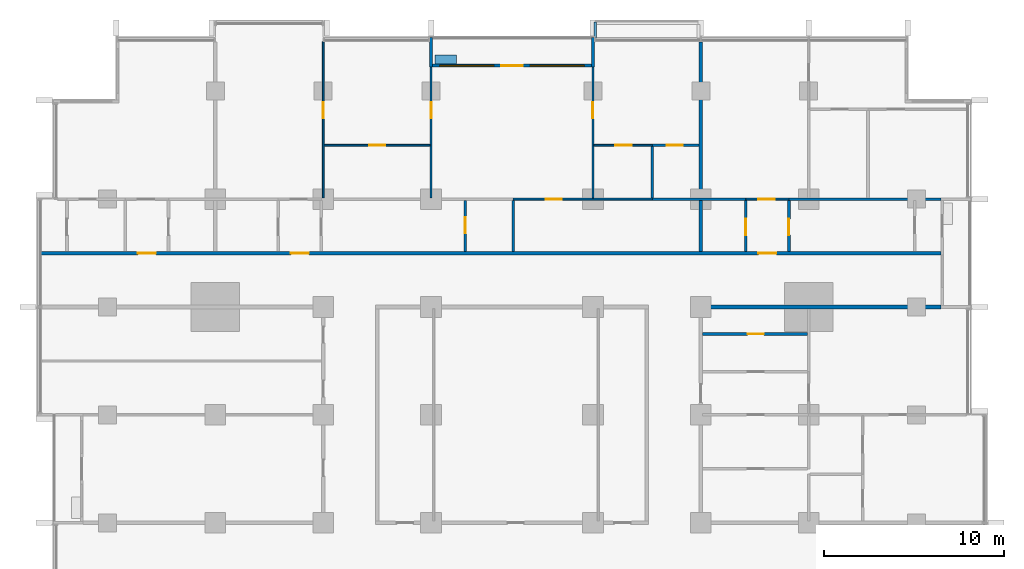
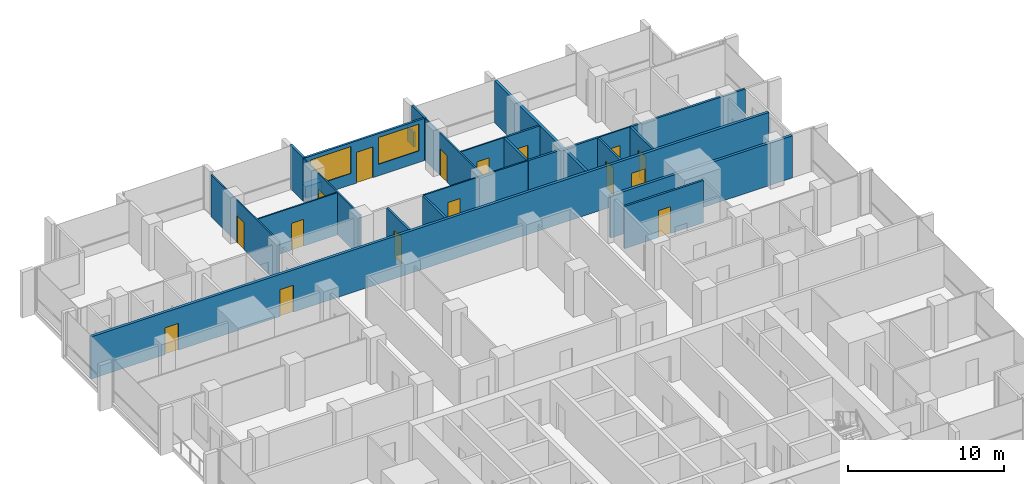
# One storey, part 11 of 17: 25 walls, 16 doors, 2 windows, 18 openings.
"""IFC4 building model written with IfcOpenShell, lengths in metres."""

from ifc_helpers import new_model, si_unit, direction, frame, frame_2d, origin, place, context, subcontext, project, spatial, rectangle, extrude, material, layer, layer_set, type_object, element, fill, save


model = new_model("IFC4")

# Units and contexts
model_context = context("Model", 3, precision=1e-05, world=origin(), true_north=direction((0.0, 1.0)))
body_context = subcontext(model_context, "Body", "Model", "MODEL_VIEW")
ifc_project = project(units=[si_unit("LENGTHUNIT", "METRE"), si_unit("AREAUNIT", "SQUARE_METRE"), si_unit("VOLUMEUNIT", "CUBIC_METRE"), si_unit("PLANEANGLEUNIT", "RADIAN"), si_unit("MASSUNIT", "GRAM", prefix="KILO")], contexts=[model_context])

# Site, building, storey
site_placement = place(None, origin())
site = spatial("IfcSite", under=ifc_project, at=site_placement, CompositionType="ELEMENT")
building_placement = place(site_placement, origin())
building = spatial("IfcBuilding", under=site, at=building_placement, Name="Finial Court Residences", CompositionType="ELEMENT")
storey_placement = place(building_placement, frame((0.0, 0.0, 91.89990234375)))
storey = spatial("IfcBuildingStorey", under=building, at=storey_placement, Name="L22", CompositionType="ELEMENT", Elevation=91.89990234375)

# Walls
ifc_material_1 = material(Name="Gypsum board")
ifc_layer_1 = layer(ifc_material_1, 0.02490234375)
ifc_material_2 = material(Name="Acoustic mineral wool in double frame")
ifc_layer_2 = layer(ifc_material_2, 0.14990234375)
ifc_layer_3 = layer(ifc_material_1, 0.02490234375)
ifc_layer_set_1 = layer_set([ifc_layer_1, ifc_layer_2, ifc_layer_3], Name="Acoustic party wall 200, 1 hour")
wall_type_1 = type_object("IfcWallType", Name="Acoustic party wall 200, 1 hour", PredefinedType="PARTITIONING", material=ifc_layer_set_1)
wall_1_placement = place(storey_placement, frame((10.5, 10.60009765625, 0.0), z_axis=(0.0, 0.0, 1.0), x_axis=(0.0, 1.0, 0.0)))
element("IfcWall", 1, at=wall_1_placement, inside=storey, type_object=wall_type_1, Name="Partition L22-062", PredefinedType="PARTITIONING", context=body_context, shape_type="SweptSolid", body=[
    extrude(rectangle(XDim=2.824951171875, YDim=0.199951171875, at=frame_2d((1.41259765625, 0.0))), origin(), (0.0, 0.0, 1.0), 3.300048828125),
])
wall_2_placement = place(storey_placement, frame((10.5, 13.574951171875, 0.0), z_axis=(0.0, 0.0, 1.0), x_axis=(0.0, 1.0, 0.0)))
element("IfcWall", 2, at=wall_2_placement, inside=storey, type_object=wall_type_1, Name="Partition L22-063", PredefinedType="PARTITIONING", context=body_context, shape_type="SweptSolid", body=[
    extrude(rectangle(XDim=8.675048828125, YDim=0.199951171875, at=frame_2d((4.33740234375, 0.0))), origin(), (0.0, 0.0, 1.0), 3.300048828125),
])
ifc_layer_4 = layer(ifc_material_1, 0.02490234375)
ifc_layer_5 = layer(ifc_material_2, 0.14990234375)
ifc_layer_6 = layer(ifc_material_1, 0.02490234375)
ifc_layer_set_2 = layer_set([ifc_layer_4, ifc_layer_5, ifc_layer_6], Name="Corridor wall 200, 1 hour")
wall_type_2 = type_object("IfcWallType", Name="Corridor wall 200, 1 hour", PredefinedType="PARTITIONING", material=ifc_layer_set_2)
wall_3_placement = place(storey_placement, frame((10.39990234375, 7.5, 0.0), z_axis=(0.0, 0.0, 1.0), x_axis=(1.0, 0.0, 0.0)))
element("IfcWall", 3, at=wall_3_placement, inside=storey, type_object=wall_type_2, Name="Partition L22-023", PredefinedType="PARTITIONING", context=body_context, shape_type="SweptSolid", body=[
    extrude(rectangle(XDim=13.4501953125, YDim=0.199951171875, at=frame_2d((6.72509765625, 0.0))), origin(), (0.0, 0.0, 1.0), 3.300048828125),
])

# Wall, openings, doors
wall_4_placement = place(storey_placement, frame((-26.25, 10.5, 0.0), z_axis=(0.0, 0.0, 1.0), x_axis=(1.0, 0.0, 0.0)))
wall_4 = element("IfcWall", 4, at=wall_4_placement, inside=storey, type_object=wall_type_2, Name="Partition L22-024", PredefinedType="PARTITIONING", context=body_context, shape_type="SweptSolid", body=[
    extrude(rectangle(XDim=50.10009765625, YDim=0.199951171875, at=frame_2d((25.050048828125, 0.0))), origin(), (0.0, 0.0, 1.0), 3.300048828125),
])
opening_1_placement = place(wall_4_placement, frame((5.449951171875, 0.0, 0.0)))
opening_1 = element("IfcOpeningElement", 5, at=opening_1_placement, cuts=wall_4, Name="Opening L22-D015", PredefinedType="OPENING", context=body_context, shape_type="SweptSolid", body=[
    extrude(rectangle(XDim=1.0, YDim=2.10009765625, at=frame_2d((0.5, 1.050048828125))), frame((0.0, 0.10986328125, 0.0), z_axis=(0.0, -1.0, 0.0), x_axis=(1.0, 0.0, 0.0)), (0.0, 0.0, 1.0), 0.219970703125),
])
opening_2_placement = place(wall_4_placement, frame((13.949951171875, 0.0, 0.0)))
opening_2 = element("IfcOpeningElement", 6, at=opening_2_placement, cuts=wall_4, Name="Opening L22-D016", PredefinedType="OPENING", context=body_context, shape_type="SweptSolid", body=[
    extrude(rectangle(XDim=1.0, YDim=2.10009765625, at=frame_2d((0.5, 1.050048828125))), frame((0.0, 0.10986328125, 0.0), z_axis=(0.0, -1.0, 0.0), x_axis=(1.0, 0.0, 0.0)), (0.0, 0.0, 1.0), 0.219970703125),
])
opening_3_placement = place(wall_4_placement, frame((39.949951171875, 0.0, 0.0)))
opening_3 = element("IfcOpeningElement", 7, at=opening_3_placement, cuts=wall_4, Name="Opening L22-D017", PredefinedType="OPENING", context=body_context, shape_type="SweptSolid", body=[
    extrude(rectangle(XDim=1.0, YDim=2.10009765625, at=frame_2d((0.5, 1.050048828125))), frame((0.0, 0.10986328125, 0.0), z_axis=(0.0, -1.0, 0.0), x_axis=(1.0, 0.0, 0.0)), (0.0, 0.0, 1.0), 0.219970703125),
])
ifc_material_3 = material(Name="Timber door leaf in hollow metal frame", Category="wood")
door_type_1 = type_object("IfcDoorType", Name="Fire door set 1000 x 2100, 30 minutes", OperationType="SINGLE_SWING_LEFT", PredefinedType="DOOR", material=ifc_material_3)
door_1_placement = place(opening_1_placement, origin())
door_1 = element("IfcDoor", 8, at=door_1_placement, inside=storey, type_object=door_type_1, Name="Door L22-D015", OperationType="SINGLE_SWING_RIGHT", OverallHeight=2.10009765625, OverallWidth=1.0, PredefinedType="DOOR", context=body_context, shape_type="SweptSolid", body=[
    extrude(rectangle(XDim=1.0, YDim=2.10009765625, at=frame_2d((0.5, 1.050048828125))), frame((0.0, 0.02490234375, 0.0), z_axis=(0.0, -1.0, 0.0), x_axis=(1.0, 0.0, 0.0)), (0.0, 0.0, 1.0), 0.050048828125),
])
fill(opening_1, door_1)
door_2_placement = place(opening_2_placement, origin())
door_2 = element("IfcDoor", 9, at=door_2_placement, inside=storey, type_object=door_type_1, Name="Door L22-D016", OperationType="SINGLE_SWING_RIGHT", OverallHeight=2.10009765625, OverallWidth=1.0, PredefinedType="DOOR", context=body_context, shape_type="SweptSolid", body=[
    extrude(rectangle(XDim=1.0, YDim=2.10009765625, at=frame_2d((0.5, 1.050048828125))), frame((0.0, 0.02490234375, 0.0), z_axis=(0.0, -1.0, 0.0), x_axis=(1.0, 0.0, 0.0)), (0.0, 0.0, 1.0), 0.050048828125),
])
fill(opening_2, door_2)
door_3_placement = place(opening_3_placement, origin())
door_3 = element("IfcDoor", 10, at=door_3_placement, inside=storey, type_object=door_type_1, Name="Door L22-D017", OperationType="SINGLE_SWING_LEFT", OverallHeight=2.10009765625, OverallWidth=1.0, PredefinedType="DOOR", context=body_context, shape_type="SweptSolid", body=[
    extrude(rectangle(XDim=1.0, YDim=2.10009765625, at=frame_2d((0.5, 1.050048828125))), frame((0.0, 0.02490234375, 0.0), z_axis=(0.0, -1.0, 0.0), x_axis=(1.0, 0.0, 0.0)), (0.0, 0.0, 1.0), 0.050048828125),
])
fill(opening_3, door_3)

# Wall, opening, door
ifc_layer_7 = layer(ifc_material_1, 0.012451171875)
ifc_material_4 = material(Name="Mineral wool in light-gauge frame")
ifc_layer_8 = layer(ifc_material_4, 0.074951171875)
ifc_layer_9 = layer(ifc_material_1, 0.012451171875)
ifc_layer_set_3 = layer_set([ifc_layer_7, ifc_layer_8, ifc_layer_9], Name="Gypsum board partition 100")
wall_type_3 = type_object("IfcWallType", Name="Gypsum board partition 100", PredefinedType="PARTITIONING", material=ifc_layer_set_3)
wall_5_placement = place(storey_placement, frame((0.06689453125, 13.5, 0.0), z_axis=(0.0, 0.0, 1.0), x_axis=(1.0, 0.0, 0.0)))
wall_5 = element("IfcWall", 11, at=wall_5_placement, inside=storey, type_object=wall_type_3, Name="Partition L22-028", PredefinedType="PARTITIONING", context=body_context, shape_type="SweptSolid", body=[
    extrude(rectangle(XDim=7.733154296875, YDim=0.10009765625, at=frame_2d((3.86669921875, 0.0))), origin(), (0.0, 0.0, 1.0), 3.300048828125),
])
opening_4_placement = place(wall_5_placement, frame((1.800048828125, 0.0, 0.0)))
opening_4 = element("IfcOpeningElement", 12, at=opening_4_placement, cuts=wall_5, Name="Opening L22-D020", PredefinedType="OPENING", context=body_context, shape_type="SweptSolid", body=[
    extrude(rectangle(XDim=0.89990234375, YDim=2.10009765625, at=frame_2d((0.449951171875, 1.050048828125))), frame((0.0, 0.06005859375, 0.0), z_axis=(0.0, -1.0, 0.0), x_axis=(1.0, 0.0, 0.0)), (0.0, 0.0, 1.0), 0.1201171875),
])
ifc_material_5 = material(Name="Timber door leaf in timber frame", Category="wood")
door_type_2 = type_object("IfcDoorType", Name="Door set 900 x 2100", OperationType="SINGLE_SWING_LEFT", PredefinedType="DOOR", material=ifc_material_5)
door_4_placement = place(opening_4_placement, origin())
door_4 = element("IfcDoor", 13, at=door_4_placement, inside=storey, type_object=door_type_2, Name="Door L22-D020", OperationType="SINGLE_SWING_LEFT", OverallHeight=2.10009765625, OverallWidth=0.89990234375, PredefinedType="DOOR", context=body_context, shape_type="SweptSolid", body=[
    extrude(rectangle(XDim=0.89990234375, YDim=2.10009765625, at=frame_2d((0.449951171875, 1.050048828125))), frame((0.0, 0.02490234375, 0.0), z_axis=(0.0, -1.0, 0.0), x_axis=(1.0, 0.0, 0.0)), (0.0, 0.0, 1.0), 0.050048828125),
])
fill(opening_4, door_4)

wall_6_placement = place(storey_placement, frame((13.0, 13.5, 0.0), z_axis=(0.0, 0.0, 1.0), x_axis=(1.0, 0.0, 0.0)))
wall_6 = element("IfcWall", 14, at=wall_6_placement, inside=storey, type_object=wall_type_3, Name="Partition L22-029", PredefinedType="PARTITIONING", context=body_context, shape_type="SweptSolid", body=[
    extrude(rectangle(XDim=2.39990234375, YDim=0.10009765625, at=frame_2d((1.199951171875, 0.0))), origin(), (0.0, 0.0, 1.0), 3.300048828125),
])
opening_5_placement = place(wall_6_placement, frame((0.699951171875, 0.0, 0.0)))
opening_5 = element("IfcOpeningElement", 15, at=opening_5_placement, cuts=wall_6, Name="Opening L22-D021", PredefinedType="OPENING", context=body_context, shape_type="SweptSolid", body=[
    extrude(rectangle(XDim=0.89990234375, YDim=2.10009765625, at=frame_2d((0.449951171875, 1.050048828125))), frame((0.0, 0.06005859375, 0.0), z_axis=(0.0, -1.0, 0.0), x_axis=(1.0, 0.0, 0.0)), (0.0, 0.0, 1.0), 0.1201171875),
])
door_5_placement = place(opening_5_placement, origin())
door_5 = element("IfcDoor", 16, at=door_5_placement, inside=storey, type_object=door_type_2, Name="Door L22-D021", OperationType="SINGLE_SWING_RIGHT", OverallHeight=2.10009765625, OverallWidth=0.89990234375, PredefinedType="DOOR", context=body_context, shape_type="SweptSolid", body=[
    extrude(rectangle(XDim=0.89990234375, YDim=2.10009765625, at=frame_2d((0.449951171875, 1.050048828125))), frame((0.0, 0.02490234375, 0.0), z_axis=(0.0, -1.0, 0.0), x_axis=(1.0, 0.0, 0.0)), (0.0, 0.0, 1.0), 0.050048828125),
])
fill(opening_5, door_5)

wall_7_placement = place(storey_placement, frame((-10.449951171875, 16.5, 0.0), z_axis=(0.0, 0.0, 1.0), x_axis=(1.0, 0.0, 0.0)))
wall_7 = element("IfcWall", 17, at=wall_7_placement, inside=storey, type_object=wall_type_3, Name="Partition L22-035", PredefinedType="PARTITIONING", context=body_context, shape_type="SweptSolid", body=[
    extrude(rectangle(XDim=5.89990234375, YDim=0.10009765625, at=frame_2d((2.949951171875, 0.0))), origin(), (0.0, 0.0, 1.0), 3.300048828125),
])
opening_6_placement = place(wall_7_placement, frame((2.5, 0.0, 0.0)))
opening_6 = element("IfcOpeningElement", 18, at=opening_6_placement, cuts=wall_7, Name="Opening L22-D023", PredefinedType="OPENING", context=body_context, shape_type="SweptSolid", body=[
    extrude(rectangle(XDim=0.89990234375, YDim=2.10009765625, at=frame_2d((0.449951171875, 1.050048828125))), frame((0.0, 0.06005859375, 0.0), z_axis=(0.0, -1.0, 0.0), x_axis=(1.0, 0.0, 0.0)), (0.0, 0.0, 1.0), 0.1201171875),
])
door_6_placement = place(opening_6_placement, origin())
door_6 = element("IfcDoor", 19, at=door_6_placement, inside=storey, type_object=door_type_2, Name="Door L22-D023", OperationType="SINGLE_SWING_RIGHT", OverallHeight=2.10009765625, OverallWidth=0.89990234375, PredefinedType="DOOR", context=body_context, shape_type="SweptSolid", body=[
    extrude(rectangle(XDim=0.89990234375, YDim=2.10009765625, at=frame_2d((0.449951171875, 1.050048828125))), frame((0.0, 0.02490234375, 0.0), z_axis=(0.0, -1.0, 0.0), x_axis=(1.0, 0.0, 0.0)), (0.0, 0.0, 1.0), 0.050048828125),
])
fill(opening_6, door_6)

wall_8_placement = place(storey_placement, frame((4.550048828125, 16.5, 0.0), z_axis=(0.0, 0.0, 1.0), x_axis=(1.0, 0.0, 0.0)))
wall_8 = element("IfcWall", 20, at=wall_8_placement, inside=storey, type_object=wall_type_3, Name="Partition L22-036", PredefinedType="PARTITIONING", context=body_context, shape_type="SweptSolid", body=[
    extrude(rectangle(XDim=3.25, YDim=0.10009765625, at=frame_2d((1.625, 0.0))), origin(), (0.0, 0.0, 1.0), 3.300048828125),
])
opening_7_placement = place(wall_8_placement, frame((1.199951171875, 0.0, 0.0)))
opening_7 = element("IfcOpeningElement", 21, at=opening_7_placement, cuts=wall_8, Name="Opening L22-D024", PredefinedType="OPENING", context=body_context, shape_type="SweptSolid", body=[
    extrude(rectangle(XDim=0.89990234375, YDim=2.10009765625, at=frame_2d((0.449951171875, 1.050048828125))), frame((0.0, 0.06005859375, 0.0), z_axis=(0.0, -1.0, 0.0), x_axis=(1.0, 0.0, 0.0)), (0.0, 0.0, 1.0), 0.1201171875),
])
door_7_placement = place(opening_7_placement, origin())
door_7 = element("IfcDoor", 22, at=door_7_placement, inside=storey, type_object=door_type_2, Name="Door L22-D024", OperationType="SINGLE_SWING_LEFT", OverallHeight=2.10009765625, OverallWidth=0.89990234375, PredefinedType="DOOR", context=body_context, shape_type="SweptSolid", body=[
    extrude(rectangle(XDim=0.89990234375, YDim=2.10009765625, at=frame_2d((0.449951171875, 1.050048828125))), frame((0.0, 0.02490234375, 0.0), z_axis=(0.0, -1.0, 0.0), x_axis=(1.0, 0.0, 0.0)), (0.0, 0.0, 1.0), 0.050048828125),
])
fill(opening_7, door_7)

wall_9_placement = place(storey_placement, frame((-10.5, 13.574951171875, 0.0), z_axis=(0.0, 0.0, 1.0), x_axis=(0.0, 1.0, 0.0)))
wall_9 = element("IfcWall", 23, at=wall_9_placement, inside=storey, type_object=wall_type_3, Name="Partition L22-051", PredefinedType="PARTITIONING", context=body_context, shape_type="SweptSolid", body=[
    extrude(rectangle(XDim=8.675048828125, YDim=0.10009765625, at=frame_2d((4.33740234375, 0.0))), origin(), (0.0, 0.0, 1.0), 3.300048828125),
])
opening_8_placement = place(wall_9_placement, frame((4.425048828125, 0.0, 0.0)))
opening_8 = element("IfcOpeningElement", 24, at=opening_8_placement, cuts=wall_9, Name="Opening L22-D037", PredefinedType="OPENING", context=body_context, shape_type="SweptSolid", body=[
    extrude(rectangle(XDim=0.89990234375, YDim=2.10009765625, at=frame_2d((0.449951171875, 1.050048828125))), frame((0.0, 0.06005859375, 0.0), z_axis=(0.0, -1.0, 0.0), x_axis=(1.0, 0.0, 0.0)), (0.0, 0.0, 1.0), 0.1201171875),
])
door_8_placement = place(opening_8_placement, origin())
door_8 = element("IfcDoor", 25, at=door_8_placement, inside=storey, type_object=door_type_2, Name="Door L22-D037", OperationType="SINGLE_SWING_RIGHT", OverallHeight=2.10009765625, OverallWidth=0.89990234375, PredefinedType="DOOR", context=body_context, shape_type="SweptSolid", body=[
    extrude(rectangle(XDim=0.89990234375, YDim=2.10009765625, at=frame_2d((0.449951171875, 1.050048828125))), frame((0.0, 0.02490234375, 0.0), z_axis=(0.0, -1.0, 0.0), x_axis=(1.0, 0.0, 0.0)), (0.0, 0.0, 1.0), 0.050048828125),
])
fill(opening_8, door_8)

wall_10_placement = place(storey_placement, frame((-4.5, 13.574951171875, 0.0), z_axis=(0.0, 0.0, 1.0), x_axis=(0.0, 1.0, 0.0)))
wall_10 = element("IfcWall", 26, at=wall_10_placement, inside=storey, type_object=wall_type_3, Name="Partition L22-053", PredefinedType="PARTITIONING", context=body_context, shape_type="SweptSolid", body=[
    extrude(rectangle(XDim=7.275146484375, YDim=0.10009765625, at=frame_2d((3.6376953125, 0.0))), origin(), (0.0, 0.0, 1.0), 3.300048828125),
])
opening_9_placement = place(wall_10_placement, frame((4.425048828125, 0.0, 0.0)))
opening_9 = element("IfcOpeningElement", 27, at=opening_9_placement, cuts=wall_10, Name="Opening L22-D038", PredefinedType="OPENING", context=body_context, shape_type="SweptSolid", body=[
    extrude(rectangle(XDim=0.89990234375, YDim=2.10009765625, at=frame_2d((0.449951171875, 1.050048828125))), frame((0.0, 0.06005859375, 0.0), z_axis=(0.0, -1.0, 0.0), x_axis=(1.0, 0.0, 0.0)), (0.0, 0.0, 1.0), 0.1201171875),
])
door_9_placement = place(opening_9_placement, origin())
door_9 = element("IfcDoor", 28, at=door_9_placement, inside=storey, type_object=door_type_2, Name="Door L22-D038", OperationType="SINGLE_SWING_RIGHT", OverallHeight=2.10009765625, OverallWidth=0.89990234375, PredefinedType="DOOR", context=body_context, shape_type="SweptSolid", body=[
    extrude(rectangle(XDim=0.89990234375, YDim=2.10009765625, at=frame_2d((0.449951171875, 1.050048828125))), frame((0.0, 0.02490234375, 0.0), z_axis=(0.0, -1.0, 0.0), x_axis=(1.0, 0.0, 0.0)), (0.0, 0.0, 1.0), 0.050048828125),
])
fill(opening_9, door_9)

wall_11_placement = place(storey_placement, frame((4.5, 13.550048828125, 0.0), z_axis=(0.0, 0.0, 1.0), x_axis=(0.0, 1.0, 0.0)))
wall_11 = element("IfcWall", 29, at=wall_11_placement, inside=storey, type_object=wall_type_3, Name="Partition L22-057", PredefinedType="PARTITIONING", context=body_context, shape_type="SweptSolid", body=[
    extrude(rectangle(XDim=7.300048828125, YDim=0.10009765625, at=frame_2d((3.64990234375, 0.0))), origin(), (0.0, 0.0, 1.0), 3.300048828125),
])
opening_10_placement = place(wall_11_placement, frame((4.449951171875, 0.0, 0.0)))
opening_10 = element("IfcOpeningElement", 30, at=opening_10_placement, cuts=wall_11, Name="Opening L22-D040", PredefinedType="OPENING", context=body_context, shape_type="SweptSolid", body=[
    extrude(rectangle(XDim=0.89990234375, YDim=2.10009765625, at=frame_2d((0.449951171875, 1.050048828125))), frame((0.0, 0.06005859375, 0.0), z_axis=(0.0, -1.0, 0.0), x_axis=(1.0, 0.0, 0.0)), (0.0, 0.0, 1.0), 0.1201171875),
])
door_10_placement = place(opening_10_placement, origin())
door_10 = element("IfcDoor", 31, at=door_10_placement, inside=storey, type_object=door_type_2, Name="Door L22-D040", OperationType="SINGLE_SWING_RIGHT", OverallHeight=2.10009765625, OverallWidth=0.89990234375, PredefinedType="DOOR", context=body_context, shape_type="SweptSolid", body=[
    extrude(rectangle(XDim=0.89990234375, YDim=2.10009765625, at=frame_2d((0.449951171875, 1.050048828125))), frame((0.0, 0.02490234375, 0.0), z_axis=(0.0, -1.0, 0.0), x_axis=(1.0, 0.0, 0.0)), (0.0, 0.0, 1.0), 0.050048828125),
])
fill(opening_10, door_10)

ifc_material_6 = material(Name="Moisture-resistant gypsum board")
ifc_layer_10 = layer(ifc_material_6, 0.012451171875)
ifc_layer_11 = layer(ifc_material_4, 0.125)
ifc_layer_12 = layer(ifc_material_6, 0.012451171875)
ifc_layer_set_4 = layer_set([ifc_layer_10, ifc_layer_11, ifc_layer_12], Name="Gypsum board wet-area partition 150")
wall_type_4 = type_object("IfcWallType", Name="Gypsum board wet-area partition 150", PredefinedType="PARTITIONING", material=ifc_layer_set_4)
wall_12_placement = place(storey_placement, frame((10.60009765625, 6.0, 0.0), z_axis=(0.0, 0.0, 1.0), x_axis=(1.0, 0.0, 0.0)))
wall_12 = element("IfcWall", 32, at=wall_12_placement, inside=storey, type_object=wall_type_4, Name="Partition L22-020", PredefinedType="PARTITIONING", context=body_context, shape_type="SweptSolid", body=[
    extrude(rectangle(XDim=5.824951171875, YDim=0.14990234375, at=frame_2d((2.91259765625, 0.0))), origin(), (0.0, 0.0, 1.0), 3.300048828125),
])
opening_11_placement = place(wall_12_placement, frame((2.5, 0.0, 0.0)))
opening_11 = element("IfcOpeningElement", 33, at=opening_11_placement, cuts=wall_12, Name="Opening L22-D014", PredefinedType="OPENING", context=body_context, shape_type="SweptSolid", body=[
    extrude(rectangle(XDim=0.89990234375, YDim=2.10009765625, at=frame_2d((0.449951171875, 1.050048828125))), frame((0.0, 0.0849609375, 0.0), z_axis=(0.0, -1.0, 0.0), x_axis=(1.0, 0.0, 0.0)), (0.0, 0.0, 1.0), 0.169921875),
])
door_11_placement = place(opening_11_placement, origin())
door_11 = element("IfcDoor", 34, at=door_11_placement, inside=storey, type_object=door_type_2, Name="Door L22-D014", OperationType="SINGLE_SWING_LEFT", OverallHeight=2.10009765625, OverallWidth=0.89990234375, PredefinedType="DOOR", context=body_context, shape_type="SweptSolid", body=[
    extrude(rectangle(XDim=0.89990234375, YDim=2.10009765625, at=frame_2d((0.449951171875, 1.050048828125))), frame((0.0, 0.02490234375, 0.0), z_axis=(0.0, -1.0, 0.0), x_axis=(1.0, 0.0, 0.0)), (0.0, 0.0, 1.0), 0.050048828125),
])
fill(opening_11, door_11)

# Walls
wall_13_placement = place(storey_placement, frame((7.800048828125, 13.5, 0.0), z_axis=(0.0, 0.0, 1.0), x_axis=(1.0, 0.0, 0.0)))
element("IfcWall", 35, at=wall_13_placement, inside=storey, type_object=wall_type_4, Name="Partition L22-033", PredefinedType="PARTITIONING", context=body_context, shape_type="SweptSolid", body=[
    extrude(rectangle(XDim=5.199951171875, YDim=0.14990234375, at=frame_2d((2.60009765625, 0.0))), origin(), (0.0, 0.0, 1.0), 3.300048828125),
])
wall_14_placement = place(storey_placement, frame((15.39990234375, 13.5, 0.0), z_axis=(0.0, 0.0, 1.0), x_axis=(1.0, 0.0, 0.0)))
element("IfcWall", 36, at=wall_14_placement, inside=storey, type_object=wall_type_4, Name="Partition L22-034", PredefinedType="PARTITIONING", context=body_context, shape_type="SweptSolid", body=[
    extrude(rectangle(XDim=8.4501953125, YDim=0.14990234375, at=frame_2d((4.22509765625, 0.0))), origin(), (0.0, 0.0, 1.0), 3.300048828125),
])

# Wall, opening, door
wall_15_placement = place(storey_placement, frame((7.800048828125, 16.5, 0.0), z_axis=(0.0, 0.0, 1.0), x_axis=(1.0, 0.0, 0.0)))
wall_15 = element("IfcWall", 37, at=wall_15_placement, inside=storey, type_object=wall_type_4, Name="Partition L22-037", PredefinedType="PARTITIONING", context=body_context, shape_type="SweptSolid", body=[
    extrude(rectangle(XDim=2.599853515625, YDim=0.14990234375, at=frame_2d((1.2998046875, 0.0))), origin(), (0.0, 0.0, 1.0), 3.300048828125),
])
opening_12_placement = place(wall_15_placement, frame((0.800048828125, 0.0, 0.0)))
opening_12 = element("IfcOpeningElement", 38, at=opening_12_placement, cuts=wall_15, Name="Opening L22-D025", PredefinedType="OPENING", context=body_context, shape_type="SweptSolid", body=[
    extrude(rectangle(XDim=0.89990234375, YDim=2.10009765625, at=frame_2d((0.449951171875, 1.050048828125))), frame((0.0, 0.0849609375, 0.0), z_axis=(0.0, -1.0, 0.0), x_axis=(1.0, 0.0, 0.0)), (0.0, 0.0, 1.0), 0.169921875),
])
door_12_placement = place(opening_12_placement, origin())
door_12 = element("IfcDoor", 39, at=door_12_placement, inside=storey, type_object=door_type_2, Name="Door L22-D025", OperationType="SINGLE_SWING_RIGHT", OverallHeight=2.10009765625, OverallWidth=0.89990234375, PredefinedType="DOOR", context=body_context, shape_type="SweptSolid", body=[
    extrude(rectangle(XDim=0.89990234375, YDim=2.10009765625, at=frame_2d((0.449951171875, 1.050048828125))), frame((0.0, 0.02490234375, 0.0), z_axis=(0.0, -1.0, 0.0), x_axis=(1.0, 0.0, 0.0)), (0.0, 0.0, 1.0), 0.050048828125),
])
fill(opening_12, door_12)

wall_16_placement = place(storey_placement, frame((-2.60009765625, 10.60009765625, 0.0), z_axis=(0.0, 0.0, 1.0), x_axis=(0.0, 1.0, 0.0)))
wall_16 = element("IfcWall", 40, at=wall_16_placement, inside=storey, type_object=wall_type_4, Name="Partition L22-055", PredefinedType="PARTITIONING", context=body_context, shape_type="SweptSolid", body=[
    extrude(rectangle(XDim=2.824951171875, YDim=0.14990234375, at=frame_2d((1.41259765625, 0.0))), origin(), (0.0, 0.0, 1.0), 3.300048828125),
])
opening_13_placement = place(wall_16_placement, frame((1.0, 0.0, 0.0)))
opening_13 = element("IfcOpeningElement", 41, at=opening_13_placement, cuts=wall_16, Name="Opening L22-D039", PredefinedType="OPENING", context=body_context, shape_type="SweptSolid", body=[
    extrude(rectangle(XDim=0.89990234375, YDim=2.10009765625, at=frame_2d((0.449951171875, 1.050048828125))), frame((0.0, 0.0849609375, 0.0), z_axis=(0.0, -1.0, 0.0), x_axis=(1.0, 0.0, 0.0)), (0.0, 0.0, 1.0), 0.169921875),
])
door_13_placement = place(opening_13_placement, origin())
door_13 = element("IfcDoor", 42, at=door_13_placement, inside=storey, type_object=door_type_2, Name="Door L22-D039", OperationType="SINGLE_SWING_LEFT", OverallHeight=2.10009765625, OverallWidth=0.89990234375, PredefinedType="DOOR", context=body_context, shape_type="SweptSolid", body=[
    extrude(rectangle(XDim=0.89990234375, YDim=2.10009765625, at=frame_2d((0.449951171875, 1.050048828125))), frame((0.0, 0.02490234375, 0.0), z_axis=(0.0, -1.0, 0.0), x_axis=(1.0, 0.0, 0.0)), (0.0, 0.0, 1.0), 0.050048828125),
])
fill(opening_13, door_13)

# Walls
wall_17_placement = place(storey_placement, frame((0.06689453125, 10.60009765625, 0.0), z_axis=(0.0, 0.0, 1.0), x_axis=(0.0, 1.0, 0.0)))
element("IfcWall", 43, at=wall_17_placement, inside=storey, type_object=wall_type_4, Name="Partition L22-056", PredefinedType="PARTITIONING", context=body_context, shape_type="SweptSolid", body=[
    extrude(rectangle(XDim=2.824951171875, YDim=0.14990234375, at=frame_2d((1.41259765625, 0.0))), origin(), (0.0, 0.0, 1.0), 3.300048828125),
])
wall_18_placement = place(storey_placement, frame((7.800048828125, 13.574951171875, 0.0), z_axis=(0.0, 0.0, 1.0), x_axis=(0.0, 1.0, 0.0)))
element("IfcWall", 44, at=wall_18_placement, inside=storey, type_object=wall_type_4, Name="Partition L22-060", PredefinedType="PARTITIONING", context=body_context, shape_type="SweptSolid", body=[
    extrude(rectangle(XDim=2.85009765625, YDim=0.14990234375, at=frame_2d((1.425048828125, 0.0))), origin(), (0.0, 0.0, 1.0), 3.300048828125),
])

# Wall, opening, door
wall_19_placement = place(storey_placement, frame((13.0, 10.60009765625, 0.0), z_axis=(0.0, 0.0, 1.0), x_axis=(0.0, 1.0, 0.0)))
wall_19 = element("IfcWall", 45, at=wall_19_placement, inside=storey, type_object=wall_type_4, Name="Partition L22-064", PredefinedType="PARTITIONING", context=body_context, shape_type="SweptSolid", body=[
    extrude(rectangle(XDim=2.824951171875, YDim=0.14990234375, at=frame_2d((1.41259765625, 0.0))), origin(), (0.0, 0.0, 1.0), 3.300048828125),
])
opening_14_placement = place(wall_19_placement, frame((0.89990234375, 0.0, 0.0)))
opening_14 = element("IfcOpeningElement", 46, at=opening_14_placement, cuts=wall_19, Name="Opening L22-D042", PredefinedType="OPENING", context=body_context, shape_type="SweptSolid", body=[
    extrude(rectangle(XDim=0.89990234375, YDim=2.10009765625, at=frame_2d((0.449951171875, 1.050048828125))), frame((0.0, 0.0849609375, 0.0), z_axis=(0.0, -1.0, 0.0), x_axis=(1.0, 0.0, 0.0)), (0.0, 0.0, 1.0), 0.169921875),
])
door_14_placement = place(opening_14_placement, origin())
door_14 = element("IfcDoor", 47, at=door_14_placement, inside=storey, type_object=door_type_2, Name="Door L22-D042", OperationType="SINGLE_SWING_LEFT", OverallHeight=2.10009765625, OverallWidth=0.89990234375, PredefinedType="DOOR", context=body_context, shape_type="SweptSolid", body=[
    extrude(rectangle(XDim=0.89990234375, YDim=2.10009765625, at=frame_2d((0.449951171875, 1.050048828125))), frame((0.0, 0.02490234375, 0.0), z_axis=(0.0, -1.0, 0.0), x_axis=(1.0, 0.0, 0.0)), (0.0, 0.0, 1.0), 0.050048828125),
])
fill(opening_14, door_14)

wall_20_placement = place(storey_placement, frame((15.39990234375, 10.60009765625, 0.0), z_axis=(0.0, 0.0, 1.0), x_axis=(0.0, 1.0, 0.0)))
wall_20 = element("IfcWall", 48, at=wall_20_placement, inside=storey, type_object=wall_type_4, Name="Partition L22-065", PredefinedType="PARTITIONING", context=body_context, shape_type="SweptSolid", body=[
    extrude(rectangle(XDim=2.824951171875, YDim=0.14990234375, at=frame_2d((1.41259765625, 0.0))), origin(), (0.0, 0.0, 1.0), 3.300048828125),
])
opening_15_placement = place(wall_20_placement, frame((0.89990234375, 0.0, 0.0)))
opening_15 = element("IfcOpeningElement", 49, at=opening_15_placement, cuts=wall_20, Name="Opening L22-D043", PredefinedType="OPENING", context=body_context, shape_type="SweptSolid", body=[
    extrude(rectangle(XDim=0.89990234375, YDim=2.10009765625, at=frame_2d((0.449951171875, 1.050048828125))), frame((0.0, 0.0849609375, 0.0), z_axis=(0.0, -1.0, 0.0), x_axis=(1.0, 0.0, 0.0)), (0.0, 0.0, 1.0), 0.169921875),
])
door_15_placement = place(opening_15_placement, origin())
door_15 = element("IfcDoor", 50, at=door_15_placement, inside=storey, type_object=door_type_2, Name="Door L22-D043", OperationType="SINGLE_SWING_LEFT", OverallHeight=2.10009765625, OverallWidth=0.89990234375, PredefinedType="DOOR", context=body_context, shape_type="SweptSolid", body=[
    extrude(rectangle(XDim=0.89990234375, YDim=2.10009765625, at=frame_2d((0.449951171875, 1.050048828125))), frame((0.0, 0.02490234375, 0.0), z_axis=(0.0, -1.0, 0.0), x_axis=(1.0, 0.0, 0.0)), (0.0, 0.0, 1.0), 0.050048828125),
])
fill(opening_15, door_15)

# Walls
ifc_material_7 = material(Name="Concrete C35/45", Category="concrete")
ifc_layer_13 = layer(ifc_material_7, 0.14990234375)
ifc_layer_set_5 = layer_set([ifc_layer_13], Name="Ledge parapet, Concrete C35/45 150")
wall_type_5 = type_object("IfcWallType", Name="Ledge parapet, Concrete C35/45 150", PredefinedType="PARAPET", material=ifc_layer_set_5)
wall_21_placement = place(storey_placement, frame((4.625, 22.4599609375, 0.0), z_axis=(0.0, 0.0, 1.0), x_axis=(0.0, 1.0, 0.0)))
element("IfcWall", 51, at=wall_21_placement, inside=storey, type_object=wall_type_5, Name="E-L22-LED1-P1", PredefinedType="PARAPET", context=body_context, shape_type="SweptSolid", body=[
    extrude(rectangle(XDim=0.89013671875, YDim=0.14990234375, at=frame_2d((0.445068359375, 0.0))), origin(), (0.0, 0.0, 1.0), 1.150146484375),
])
ifc_material_8 = material(Name="Natural limestone", Category="masonry")
ifc_layer_14 = layer(ifc_material_8, 0.14990234375)
ifc_layer_set_6 = layer_set([ifc_layer_14], Name="Limestone clad wall 150")
wall_type_6 = type_object("IfcWallType", Name="Limestone clad wall 150", PredefinedType="SOLIDWALL", material=ifc_layer_set_6)
wall_22_placement = place(storey_placement, frame((-4.5, 20.85009765625, 0.0), z_axis=(0.0, 0.0, 1.0), x_axis=(0.0, 1.0, 0.0)))
element("IfcWall", 52, at=wall_22_placement, inside=storey, type_object=wall_type_6, Name="E-L22-BALN4-P1", PredefinedType="SOLIDWALL", context=body_context, shape_type="SweptSolid", body=[
    extrude(rectangle(XDim=1.64990234375, YDim=0.14990234375, at=frame_2d((0.824951171875, 0.0))), origin(), (0.0, 0.0, 1.0), 3.400146484375),
])
wall_23_placement = place(storey_placement, frame((4.5, 20.85009765625, 0.0), z_axis=(0.0, 0.0, 1.0), x_axis=(0.0, 1.0, 0.0)))
element("IfcWall", 53, at=wall_23_placement, inside=storey, type_object=wall_type_6, Name="E-L22-BALN4-P2", PredefinedType="SOLIDWALL", context=body_context, shape_type="SweptSolid", body=[
    extrude(rectangle(XDim=1.64990234375, YDim=0.14990234375, at=frame_2d((0.824951171875, 0.0))), origin(), (0.0, 0.0, 1.0), 3.300048828125),
])

# Wall, openings, door, windows
wall_24_placement = place(storey_placement, frame((-4.425048828125, 20.925048828125, 0.0), z_axis=(0.0, 0.0, 1.0), x_axis=(1.0, 0.0, 0.0)))
wall_24 = element("IfcWall", 54, at=wall_24_placement, inside=storey, type_object=wall_type_6, Name="E-L22-L22-BALN4-W", PredefinedType="SOLIDWALL", context=body_context, shape_type="SweptSolid", body=[
    extrude(rectangle(XDim=8.85009765625, YDim=0.14990234375, at=frame_2d((4.425048828125, 0.0))), origin(), (0.0, 0.0, 1.0), 3.300048828125),
])
opening_16_placement = place(wall_24_placement, frame((3.824951171875, 0.0, 0.0)))
opening_16 = element("IfcOpeningElement", 55, at=opening_16_placement, cuts=wall_24, Name="Opening DE22-01", PredefinedType="OPENING", context=body_context, shape_type="SweptSolid", body=[
    extrude(rectangle(XDim=1.199951171875, YDim=2.39990234375, at=frame_2d((0.60009765625, 1.199951171875))), frame((0.0, 0.0849609375, 0.0), z_axis=(0.0, -1.0, 0.0), x_axis=(1.0, 0.0, 0.0)), (0.0, 0.0, 1.0), 0.169921875),
])
opening_17_placement = place(wall_24_placement, frame((0.41259765625, 0.0, 0.89990234375)))
opening_17 = element("IfcOpeningElement", 56, at=opening_17_placement, cuts=wall_24, Name="Opening WE22-09", PredefinedType="OPENING", context=body_context, shape_type="SweptSolid", body=[
    extrude(rectangle(XDim=3.0, YDim=2.10009765625, at=frame_2d((1.5, 1.050048828125))), frame((0.0, 0.0849609375, 0.0), z_axis=(0.0, -1.0, 0.0), x_axis=(1.0, 0.0, 0.0)), (0.0, 0.0, 1.0), 0.169921875),
])
opening_18_placement = place(wall_24_placement, frame((5.4375, 0.0, 0.89990234375)))
opening_18 = element("IfcOpeningElement", 57, at=opening_18_placement, cuts=wall_24, Name="Opening WE22-10", PredefinedType="OPENING", context=body_context, shape_type="SweptSolid", body=[
    extrude(rectangle(XDim=3.0, YDim=2.10009765625, at=frame_2d((1.5, 1.050048828125))), frame((0.0, 0.0849609375, 0.0), z_axis=(0.0, -1.0, 0.0), x_axis=(1.0, 0.0, 0.0)), (0.0, 0.0, 1.0), 0.169921875),
])
ifc_material_9 = material(Name="Bronze anodised aluminium", Category="aluminium")
door_type_3 = type_object("IfcDoorType", Name="Balcony door 1200 x 2400", OperationType="SINGLE_SWING_LEFT", PredefinedType="DOOR", material=ifc_material_9)
door_16_placement = place(opening_16_placement, origin())
door_16 = element("IfcDoor", 58, at=door_16_placement, inside=storey, type_object=door_type_3, Name="E-L22-L22-BALN4-W-D", OperationType="SINGLE_SWING_RIGHT", OverallHeight=2.39990234375, OverallWidth=1.199951171875, PredefinedType="DOOR", context=body_context, shape_type="SweptSolid", body=[
    extrude(rectangle(XDim=1.199951171875, YDim=2.39990234375, at=frame_2d((0.60009765625, 1.199951171875))), frame((0.0, 0.02490234375, 0.0), z_axis=(0.0, -1.0, 0.0), x_axis=(1.0, 0.0, 0.0)), (0.0, 0.0, 1.0), 0.050048828125),
])
fill(opening_16, door_16)
ifc_material_10 = material(Name="Clear low-e glass", Category="glass")
window_type = type_object("IfcWindowType", Name="Balcony window 3000 x 2100", PartitioningType="SINGLE_PANEL", PredefinedType="WINDOW", material=ifc_material_10)
window_1_placement = place(opening_17_placement, origin())
window_1 = element("IfcWindow", 59, at=window_1_placement, inside=storey, type_object=window_type, Name="E-L22-L22-BALN4-W-W1", OverallHeight=2.10009765625, OverallWidth=3.0, PartitioningType="SINGLE_PANEL", PredefinedType="WINDOW", context=body_context, shape_type="SweptSolid", body=[
    extrude(rectangle(XDim=3.0, YDim=2.10009765625, at=frame_2d((1.5, 1.050048828125))), frame((0.0, 0.030029296875, 0.0), z_axis=(0.0, -1.0, 0.0), x_axis=(1.0, 0.0, 0.0)), (0.0, 0.0, 1.0), 0.06005859375),
])
fill(opening_17, window_1)
window_2_placement = place(opening_18_placement, origin())
window_2 = element("IfcWindow", 60, at=window_2_placement, inside=storey, type_object=window_type, Name="E-L22-L22-BALN4-W-W2", OverallHeight=2.10009765625, OverallWidth=3.0, PartitioningType="SINGLE_PANEL", PredefinedType="WINDOW", context=body_context, shape_type="SweptSolid", body=[
    extrude(rectangle(XDim=3.0, YDim=2.10009765625, at=frame_2d((1.5, 1.050048828125))), frame((0.0, 0.030029296875, 0.0), z_axis=(0.0, -1.0, 0.0), x_axis=(1.0, 0.0, 0.0)), (0.0, 0.0, 1.0), 0.06005859375),
])
fill(opening_18, window_2)

# Wall
ifc_material_11 = material(Name="Concrete C40/50", Category="concrete")
ifc_layer_15 = layer(ifc_material_11, 0.10009765625)
ifc_material_12 = material(Name="Planting soil", Category="soil")
ifc_layer_16 = layer(ifc_material_12, 0.300048828125)
ifc_layer_17 = layer(ifc_material_11, 0.10009765625)
ifc_layer_set_7 = layer_set([ifc_layer_15, ifc_layer_16, ifc_layer_17], Name="Planter wall, balcony")
wall_type_7 = type_object("IfcWallType", Name="Planter wall, balcony", PredefinedType="USERDEFINED", material=ifc_layer_set_7)
wall_25_placement = place(storey_placement, frame((-4.27490234375, 21.25, 0.0), z_axis=(0.0, 0.0, 1.0), x_axis=(1.0, 0.0, 0.0)))
element("IfcWall", 61, at=wall_25_placement, inside=storey, type_object=wall_type_7, Name="E-L22-BALN4-PL", ObjectType="PLANTER", PredefinedType="USERDEFINED", context=body_context, shape_type="SweptSolid", body=[
    extrude(rectangle(XDim=1.199951171875, YDim=0.5, at=frame_2d((0.60009765625, 0.0))), origin(), (0.0, 0.0, 1.0), 0.900146484375),
])

save(model, "model.ifc")
